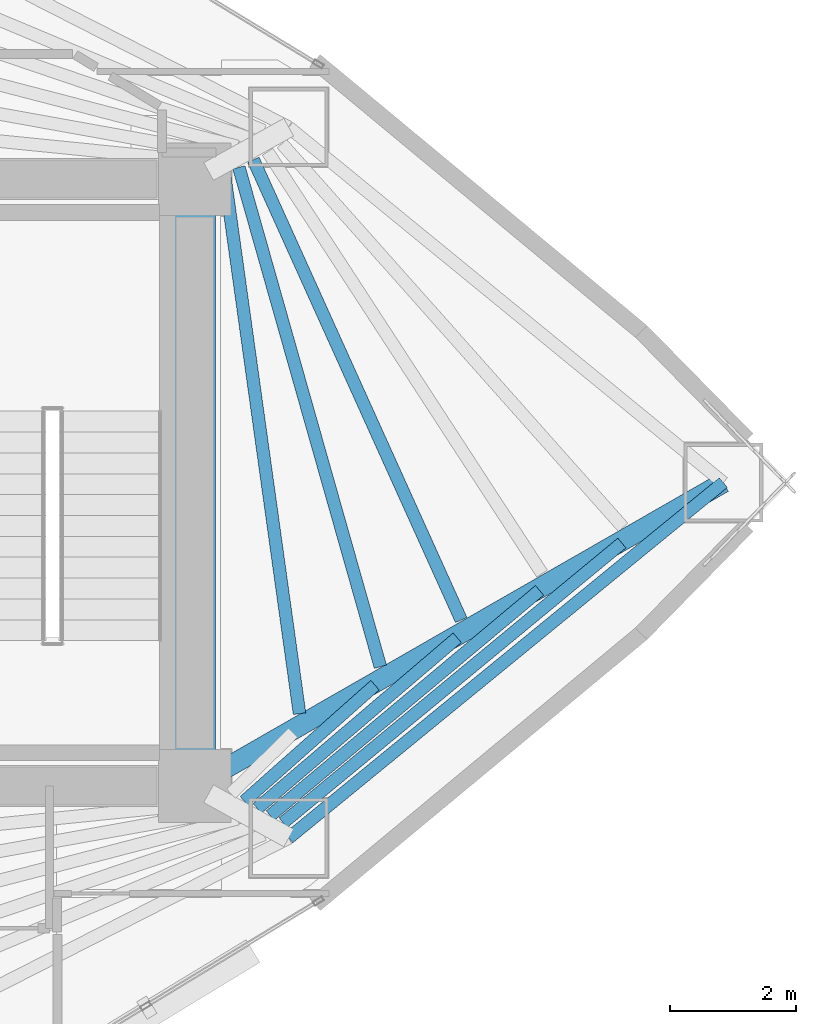
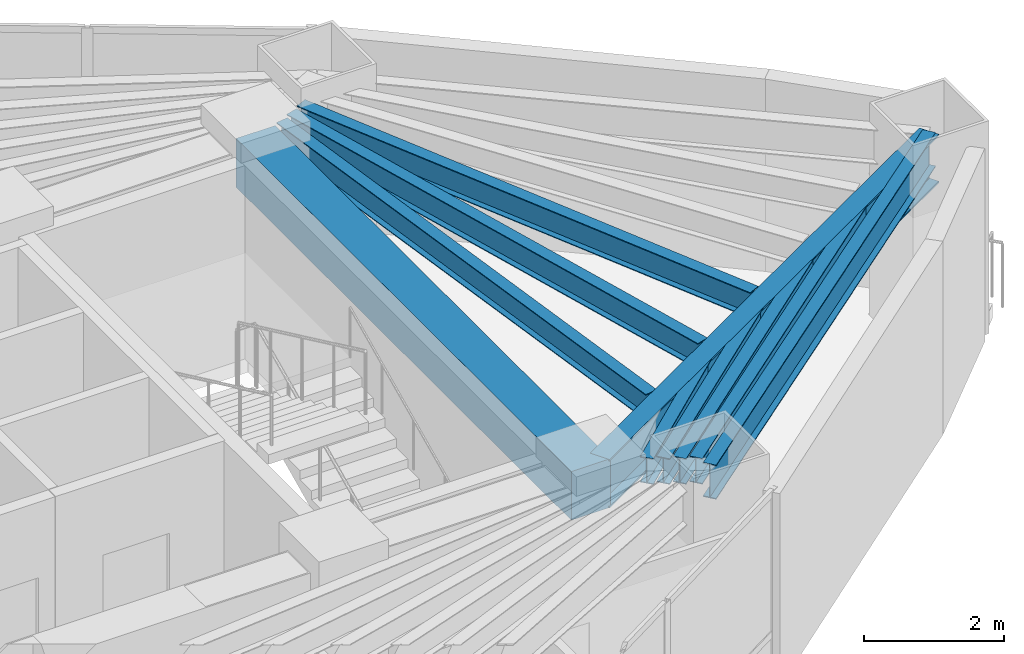
# One storey, part 6 of 16: 10 beams.
"""IFC4 building model written with IfcOpenShell, lengths in metres."""

from ifc_helpers import new_model, si_unit, direction, frame, origin, origin_2d, place, context, subcontext, project, spatial, rectangle, i_section, extrude, material, material_profile, profile_set, type_object, element, save


model = new_model("IFC4")

# Units and contexts
model_context = context("Model", 3, precision=1e-05, world=origin(), true_north=direction((0.0, 1.0)))
body_context = subcontext(model_context, "Body", "Model", "MODEL_VIEW")
ifc_project = project(units=[si_unit("LENGTHUNIT", "METRE"), si_unit("AREAUNIT", "SQUARE_METRE"), si_unit("VOLUMEUNIT", "CUBIC_METRE"), si_unit("PLANEANGLEUNIT", "RADIAN"), si_unit("MASSUNIT", "GRAM", prefix="KILO")], contexts=[model_context])

# Site, building, storey
site_placement = place(None, origin())
site = spatial("IfcSite", under=ifc_project, at=site_placement, CompositionType="ELEMENT")
building_placement = place(site_placement, origin())
building = spatial("IfcBuilding", under=site, at=building_placement, Name="Menara Vayukalpa", CompositionType="ELEMENT")
storey_placement = place(building_placement, frame((0.0, 0.0, 79.679931640625)))
storey = spatial("IfcBuildingStorey", under=building, at=storey_placement, Name="L19", CompositionType="ELEMENT", Elevation=79.679931640625)

# Beams
ifc_material_1 = material(Name="Concrete C60/75", Category="concrete")
ifc_material_profile_1 = material_profile(ifc_material_1, rectangle(XDim=0.64990234375, YDim=0.85009765625, at=origin_2d()), Name="RC 650x850")
ifc_profile_set_1 = profile_set([ifc_material_profile_1], Name="Concrete C60/75")
beam_type_1 = type_object("IfcBeamType", Name="BM-CB1", PredefinedType="BEAM", material=ifc_profile_set_1)
beam_1_placement = place(storey_placement, frame((33.39990234375, 17.199951171875, 2.955078125), z_axis=(0.0, 1.0, 0.0), x_axis=(-1.0, 0.0, 0.0)))
element("IfcBeam", 1, at=beam_1_placement, inside=storey, type_object=beam_type_1, Name="L19 Core Tie Beam CBR8", PredefinedType="BEAM", context=body_context, shape_type="SweptSolid", body=[
    extrude(rectangle(XDim=0.64990234375, YDim=0.85009765625, at=origin_2d()), origin(), (0.0, 0.0, 1.0), 9.60009765625),
])
ifc_material_2 = material(Name="Steel S355", Category="steel")
ifc_material_profile_2 = material_profile(ifc_material_2, i_section(OverallWidth=0.320068359375, OverallDepth=0.85009765625, WebThickness=0.01611328125, FlangeThickness=0.030029296875, at=origin_2d()), Name="WF 850x320x16x30")
ifc_profile_set_2 = profile_set([ifc_material_profile_2], Name="Steel S355")
beam_type_2 = type_object("IfcBeamType", Name="BM-PG2", PredefinedType="BEAM", material=ifc_profile_set_2)
beam_2_placement = place(storey_placement, frame((33.61669921875, 17.324462890625, 2.955078125), z_axis=(0.867273673572, 0.497831673488, 0.0), x_axis=(-0.497831673488, 0.867273673572, 0.0)))
element("IfcBeam", 2, at=beam_2_placement, inside=storey, type_object=beam_type_2, Name="L19 Primary Radial Girder RG01", PredefinedType="BEAM", context=body_context, shape_type="SweptSolid", body=[
    extrude(i_section(OverallWidth=0.320068359375, OverallDepth=0.85009765625, WebThickness=0.01611328125, FlangeThickness=0.030029296875, at=origin_2d()), origin(), (0.0, 0.0, 1.0), 9.391845703125),
])
ifc_material_3 = material(Name="Steel S355", Category="steel")
ifc_material_profile_3 = material_profile(ifc_material_3, i_section(OverallWidth=0.199951171875, OverallDepth=0.449951171875, WebThickness=0.009033203125, FlangeThickness=0.013916015625, at=origin_2d()), Name="WF 450x200x9x14")
ifc_profile_set_3 = profile_set([ifc_material_profile_3], Name="Steel S355")
beam_type_3 = type_object("IfcBeamType", Name="BM-SJ1", PredefinedType="JOIST", material=ifc_profile_set_3)
beam_3_placement = place(storey_placement, frame((35.05810546875, 18.344482421875, 3.155029296875), z_axis=(-0.137834297044, 0.990455302655, 0.0), x_axis=(-0.990455302655, -0.137834297044, 0.0)))
element("IfcBeam", 3, at=beam_3_placement, inside=storey, type_object=beam_type_3, Name="L19 Secondary Floor Joist SJ01-1", PredefinedType="JOIST", context=body_context, shape_type="SweptSolid", body=[
    extrude(i_section(OverallWidth=0.199951171875, OverallDepth=0.449951171875, WebThickness=0.009033203125, FlangeThickness=0.013916015625, at=origin_2d()), origin(), (0.0, 0.0, 1.0), 8.6064453125),
])
beam_4_placement = place(storey_placement, frame((36.337158203125, 19.08740234375, 3.155029296875), z_axis=(-0.272611289775, 0.962124256366, 0.0), x_axis=(-0.962124256366, -0.272611289775, 0.0)))
element("IfcBeam", 4, at=beam_4_placement, inside=storey, type_object=beam_type_3, Name="L19 Secondary Floor Joist SJ01-2", PredefinedType="JOIST", context=body_context, shape_type="SweptSolid", body=[
    extrude(i_section(OverallWidth=0.199951171875, OverallDepth=0.449951171875, WebThickness=0.009033203125, FlangeThickness=0.013916015625, at=origin_2d()), origin(), (0.0, 0.0, 1.0), 8.209716796875),
])
beam_5_placement = place(storey_placement, frame((37.615234375, 19.826416015625, 3.155029296875), z_axis=(-0.411600641696, 0.911364313409, 0.0), x_axis=(-0.911364313409, -0.411600641696, 0.0)))
element("IfcBeam", 5, at=beam_5_placement, inside=storey, type_object=beam_type_3, Name="L19 Secondary Floor Joist SJ01-3", PredefinedType="JOIST", context=body_context, shape_type="SweptSolid", body=[
    extrude(i_section(OverallWidth=0.199951171875, OverallDepth=0.449951171875, WebThickness=0.009033203125, FlangeThickness=0.013916015625, at=origin_2d()), origin(), (0.0, 0.0, 1.0), 7.989013671875),
])
beam_6_placement = place(storey_placement, frame((34.1845703125, 16.960205078125, 3.155029296875), z_axis=(0.74790626356, 0.663804354405, 0.0), x_axis=(-0.663804354405, 0.74790626356, 0.0)))
element("IfcBeam", 6, at=beam_6_placement, inside=storey, type_object=beam_type_3, Name="L19 Secondary Floor Joist SJ09-2", PredefinedType="JOIST", context=body_context, shape_type="SweptSolid", body=[
    extrude(i_section(OverallWidth=0.199951171875, OverallDepth=0.449951171875, WebThickness=0.009033203125, FlangeThickness=0.013916015625, at=origin_2d()), origin(), (0.0, 0.0, 1.0), 2.763671875),
])
beam_7_placement = place(storey_placement, frame((34.3896484375, 16.845703125, 3.155029296875), z_axis=(0.76059773561, 0.649223447347, 0.0), x_axis=(-0.649223447347, 0.76059773561, 0.0)))
element("IfcBeam", 7, at=beam_7_placement, inside=storey, type_object=beam_type_3, Name="L19 Secondary Floor Joist SJ09-3", PredefinedType="JOIST", context=body_context, shape_type="SweptSolid", body=[
    extrude(i_section(OverallWidth=0.199951171875, OverallDepth=0.449951171875, WebThickness=0.009033203125, FlangeThickness=0.013916015625, at=origin_2d()), origin(), (0.0, 0.0, 1.0), 4.158447265625),
])
beam_8_placement = place(storey_placement, frame((34.59375, 16.73193359375, 3.155029296875), z_axis=(0.767124851395, 0.641497827255, 0.0), x_axis=(-0.641497827255, 0.767124851395, 0.0)))
element("IfcBeam", 8, at=beam_8_placement, inside=storey, type_object=beam_type_3, Name="L19 Secondary Floor Joist SJ09-4", PredefinedType="JOIST", context=body_context, shape_type="SweptSolid", body=[
    extrude(i_section(OverallWidth=0.199951171875, OverallDepth=0.449951171875, WebThickness=0.009033203125, FlangeThickness=0.013916015625, at=origin_2d()), origin(), (0.0, 0.0, 1.0), 5.55419921875),
])
beam_9_placement = place(storey_placement, frame((34.79736328125, 16.618896484375, 3.155029296875), z_axis=(0.771152944406, 0.636649932329, 0.0), x_axis=(-0.636649932329, 0.771152944406, 0.0)))
element("IfcBeam", 9, at=beam_9_placement, inside=storey, type_object=beam_type_3, Name="L19 Secondary Floor Joist SJ09-5", PredefinedType="JOIST", context=body_context, shape_type="SweptSolid", body=[
    extrude(i_section(OverallWidth=0.199951171875, OverallDepth=0.449951171875, WebThickness=0.009033203125, FlangeThickness=0.013916015625, at=origin_2d()), origin(), (0.0, 0.0, 1.0), 6.9501953125),
])
ifc_material_4 = material(Name="Steel S355", Category="steel")
ifc_material_profile_4 = material_profile(ifc_material_4, i_section(OverallWidth=0.199951171875, OverallDepth=0.60009765625, WebThickness=0.010986328125, FlangeThickness=0.01708984375, at=origin_2d()), Name="WF 600x200x11x17")
ifc_profile_set_4 = profile_set([ifc_material_profile_4], Name="Steel S355")
beam_type_4 = type_object("IfcBeamType", Name="BM-SP1", PredefinedType="SPANDREL", material=ifc_profile_set_4)
beam_10_placement = place(storey_placement, frame((34.88671875, 16.37841796875, 3.080078125), z_axis=(0.774156906301, 0.632993747541, 0.0), x_axis=(-0.632993747541, 0.774156906301, 0.0)))
element("IfcBeam", 10, at=beam_10_placement, inside=storey, type_object=beam_type_4, Name="L19 Perimeter Spandrel Beam SP09", PredefinedType="SPANDREL", context=body_context, shape_type="SweptSolid", body=[
    extrude(i_section(OverallWidth=0.199951171875, OverallDepth=0.60009765625, WebThickness=0.010986328125, FlangeThickness=0.01708984375, at=origin_2d()), origin(), (0.0, 0.0, 1.0), 8.880859375),
])

save(model, "model.ifc")
